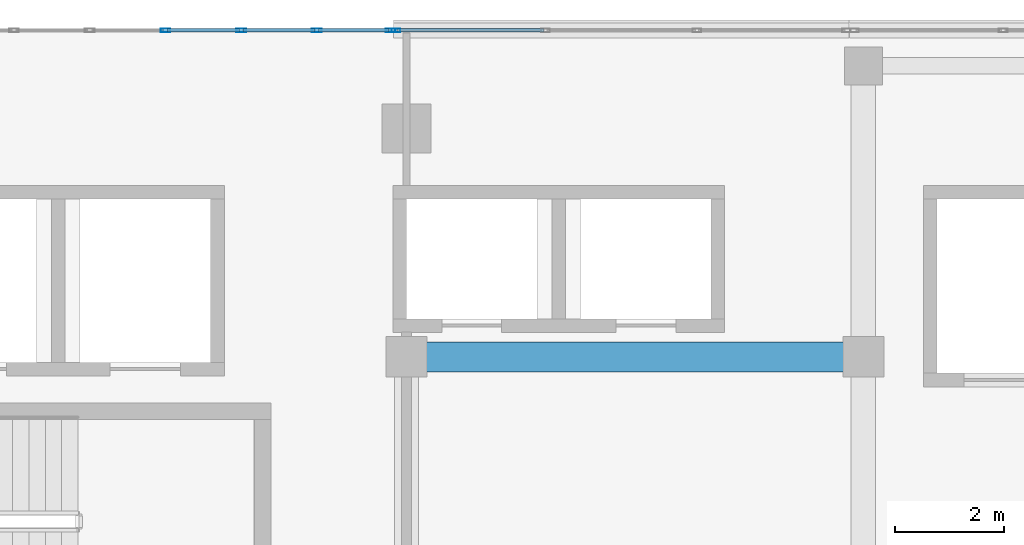
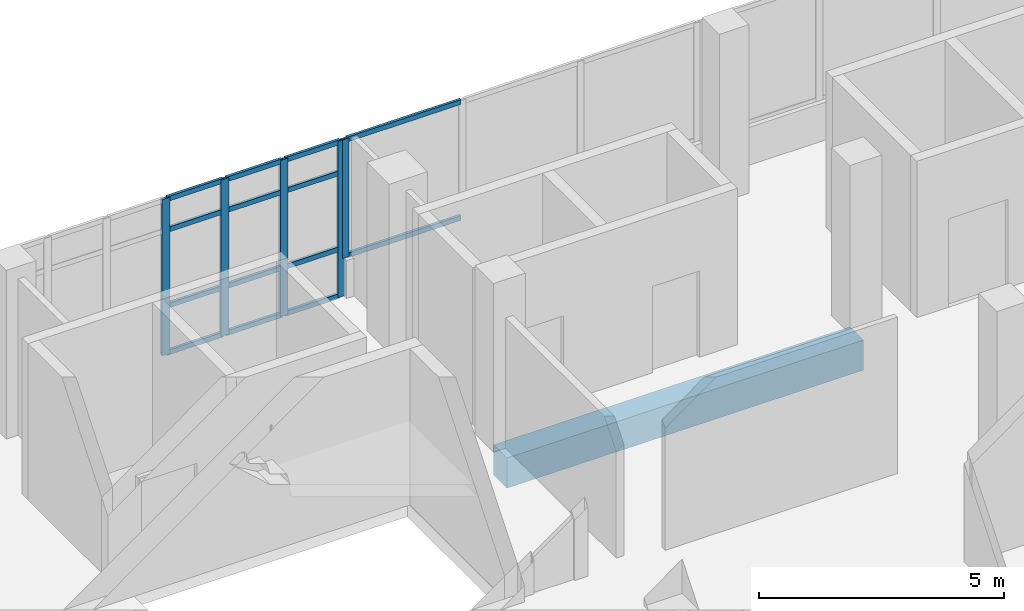
# One storey, part 116 of 184: 19 members, 1 beam, 2 elements without a shape of their own.
"""IFC4 building model written with IfcOpenShell, lengths in metres."""

from ifc_helpers import new_model, si_unit, direction, frame, origin, origin_2d, place, context, subcontext, project, spatial, rectangle, hollow_rectangle, extrude, material, material_profile, profile_set, type_object, element, aggregate, save


model = new_model("IFC4")

# Units and contexts
model_context = context("Model", 3, precision=1e-05, world=origin(), true_north=direction((0.0, 1.0)))
body_context = subcontext(model_context, "Body", "Model", "MODEL_VIEW")
ifc_project = project(units=[si_unit("LENGTHUNIT", "METRE"), si_unit("AREAUNIT", "SQUARE_METRE"), si_unit("VOLUMEUNIT", "CUBIC_METRE"), si_unit("PLANEANGLEUNIT", "RADIAN"), si_unit("MASSUNIT", "GRAM", prefix="KILO")], contexts=[model_context])

# Site, building, storey
site_placement = place(None, origin())
site = spatial("IfcSite", under=ifc_project, at=site_placement, CompositionType="ELEMENT")
building_placement = place(site_placement, origin())
building = spatial("IfcBuilding", under=site, at=building_placement, Name="Selatvlak General Hospital", CompositionType="ELEMENT")
storey_placement = place(building_placement, frame((0.0, 0.0, 15.0)))
storey = spatial("IfcBuildingStorey", under=building, at=storey_placement, Name="L03", CompositionType="ELEMENT", Elevation=15.0)

# Beam
ifc_material_1 = material(Name="Concrete C40/50", Category="concrete")
ifc_material_profile_1 = material_profile(ifc_material_1, rectangle(XDim=0.550048828125, YDim=0.75, at=origin_2d()), Name="RC-BM 550x750")
ifc_profile_set_1 = profile_set([ifc_material_profile_1], Name="Concrete C40/50")
beam_type = type_object("IfcBeamType", Name="BM-G02", PredefinedType="BEAM", material=ifc_profile_set_1)
beam_placement = place(storey_placement, frame((115.199951171875, 114.0, -0.715087890625), z_axis=(1.0, 0.0, 0.0), x_axis=(0.0, 1.0, 0.0)))
element("IfcBeam", 1, at=beam_placement, inside=storey, type_object=beam_type, Name="Beam BMR-L03-1269", PredefinedType="BEAM", context=body_context, shape_type="SweptSolid", body=[
    extrude(rectangle(XDim=0.550048828125, YDim=0.75, at=origin_2d()), origin(), (0.0, 0.0, 1.0), 8.400146484375),
])

# Curtain wall, member
ifc_material_2 = material(Name="Solar-control Low-E double glazing", Category="glass")
curtain_wall_type_1 = type_object("IfcCurtainWallType", Name="CW-CW-01", PredefinedType="USERDEFINED", material=ifc_material_2)
curtain_wall_1_placement = place(storey_placement, origin())
curtain_wall_1 = element("IfcCurtainWall", 2, at=curtain_wall_1_placement, inside=storey, type_object=curtain_wall_type_1, Name="Glazed facade curtain wall CW-L03-0376", ObjectType="UNITISED CURTAIN WALL", PredefinedType="USERDEFINED")
ifc_material_3 = material(Name="Dark anodised aluminium mullion", Category="aluminium")
ifc_material_profile_2 = material_profile(ifc_material_3, hollow_rectangle(XDim=0.06494140625, YDim=0.159912109375, WallThickness=0.00390625, at=origin_2d()), Name="AL-MUL 65x160x4")
ifc_profile_set_2 = profile_set([ifc_material_profile_2], Name="Dark anodised aluminium mullion")
member_type_1 = type_object("IfcMemberType", Name="CWM-01", PredefinedType="MULLION", material=ifc_profile_set_2)
member_1_placement = place(storey_placement, frame((115.006591796875, 120.0, 0.93994140625), z_axis=(0.0, 0.0, 1.0), x_axis=(0.0, 1.0, 0.0)))
member_1 = element("IfcMember", 3, at=member_1_placement, type_object=member_type_1, Name="CW-01 mullion 1", PredefinedType="MULLION", context=body_context, shape_type="SweptSolid", body=[
    extrude(hollow_rectangle(XDim=0.06494140625, YDim=0.159912109375, WallThickness=0.00390625, at=origin_2d()), origin(), (0.0, 0.0, 1.0), 2.955078125),
])

# Curtain wall, members
curtain_wall_type_2 = type_object("IfcCurtainWallType", Name="CW-CW-04", PredefinedType="USERDEFINED", material=ifc_material_2)
curtain_wall_2_placement = place(storey_placement, origin())
curtain_wall_2 = element("IfcCurtainWall", 4, at=curtain_wall_2_placement, inside=storey, type_object=curtain_wall_type_2, Name="Glazed facade curtain wall CW-L03-0375", ObjectType="STICK GLAZING WALL", PredefinedType="USERDEFINED")
ifc_material_profile_3 = material_profile(ifc_material_3, hollow_rectangle(XDim=0.06494140625, YDim=0.179931640625, WallThickness=0.00439453125, at=origin_2d()), Name="AL-MUL 65x180x4.5")
ifc_profile_set_3 = profile_set([ifc_material_profile_3], Name="Dark anodised aluminium mullion")
member_type_2 = type_object("IfcMemberType", Name="CWM-02", PredefinedType="MULLION", material=ifc_profile_set_3)
member_2_placement = place(storey_placement, frame((110.76904296875, 120.0, 0.0), z_axis=(0.0, 0.0, 1.0), x_axis=(0.0, 1.0, 0.0)))
member_2 = element("IfcMember", 5, at=member_2_placement, type_object=member_type_2, Name="CW-04 mullion 4", PredefinedType="MULLION", context=body_context, shape_type="SweptSolid", body=[
    extrude(hollow_rectangle(XDim=0.06494140625, YDim=0.179931640625, WallThickness=0.00439453125, at=origin_2d()), origin(), (0.0, 0.0, 1.0), 3.89501953125),
])
member_3_placement = place(storey_placement, frame((112.16064453125, 120.0, 0.0), z_axis=(0.0, 0.0, 1.0), x_axis=(0.0, 1.0, 0.0)))
member_3 = element("IfcMember", 6, at=member_3_placement, type_object=member_type_2, Name="CW-04 mullion 5", PredefinedType="MULLION", context=body_context, shape_type="SweptSolid", body=[
    extrude(hollow_rectangle(XDim=0.06494140625, YDim=0.179931640625, WallThickness=0.00439453125, at=origin_2d()), origin(), (0.0, 0.0, 1.0), 3.89501953125),
])
member_4_placement = place(storey_placement, frame((113.55224609375, 120.0, 0.0), z_axis=(0.0, 0.0, 1.0), x_axis=(0.0, 1.0, 0.0)))
member_4 = element("IfcMember", 7, at=member_4_placement, type_object=member_type_2, Name="CW-04 mullion 6", PredefinedType="MULLION", context=body_context, shape_type="SweptSolid", body=[
    extrude(hollow_rectangle(XDim=0.06494140625, YDim=0.179931640625, WallThickness=0.00439453125, at=origin_2d()), origin(), (0.0, 0.0, 1.0), 3.89501953125),
])
member_5_placement = place(storey_placement, frame((114.91162109375, 120.0, 0.0), z_axis=(0.0, 0.0, 1.0), x_axis=(0.0, 1.0, 0.0)))
member_5 = element("IfcMember", 8, at=member_5_placement, type_object=member_type_2, Name="CW-04 mullion 7", PredefinedType="MULLION", context=body_context, shape_type="SweptSolid", body=[
    extrude(hollow_rectangle(XDim=0.06494140625, YDim=0.179931640625, WallThickness=0.00439453125, at=origin_2d()), origin(), (0.0, 0.0, 1.0), 3.89501953125),
])
ifc_material_profile_4 = material_profile(ifc_material_3, hollow_rectangle(XDim=0.06494140625, YDim=0.1201171875, WallThickness=0.00390625, at=origin_2d()), Name="AL-TRN 65x120x4")
ifc_profile_set_4 = profile_set([ifc_material_profile_4], Name="Dark anodised aluminium mullion")
member_type_3 = type_object("IfcMemberType", Name="CWT-01", PredefinedType="USERDEFINED", material=ifc_profile_set_4)
member_6_placement = place(storey_placement, frame((110.801513671875, 120.0, 0.032470703125), z_axis=(1.0, 0.0, 0.0), x_axis=(0.0, 1.0, 0.0)))
member_6 = element("IfcMember", 9, at=member_6_placement, type_object=member_type_3, Name="CW-04 transom 4.1", ObjectType="TRANSOM", PredefinedType="USERDEFINED", context=body_context, shape_type="SweptSolid", body=[
    extrude(hollow_rectangle(XDim=0.06494140625, YDim=0.1201171875, WallThickness=0.00390625, at=origin_2d()), origin(), (0.0, 0.0, 1.0), 1.32666015625),
])
member_7_placement = place(storey_placement, frame((110.801513671875, 120.0, 1.199951171875), z_axis=(1.0, 0.0, 0.0), x_axis=(0.0, 1.0, 0.0)))
member_7 = element("IfcMember", 10, at=member_7_placement, type_object=member_type_3, Name="CW-04 transom 4.2", ObjectType="TRANSOM", PredefinedType="USERDEFINED", context=body_context, shape_type="SweptSolid", body=[
    extrude(hollow_rectangle(XDim=0.06494140625, YDim=0.1201171875, WallThickness=0.00390625, at=origin_2d()), origin(), (0.0, 0.0, 1.0), 1.32666015625),
])
member_8_placement = place(storey_placement, frame((110.801513671875, 120.0, 3.094970703125), z_axis=(1.0, 0.0, 0.0), x_axis=(0.0, 1.0, 0.0)))
member_8 = element("IfcMember", 11, at=member_8_placement, type_object=member_type_3, Name="CW-04 transom 4.3", ObjectType="TRANSOM", PredefinedType="USERDEFINED", context=body_context, shape_type="SweptSolid", body=[
    extrude(hollow_rectangle(XDim=0.06494140625, YDim=0.1201171875, WallThickness=0.00390625, at=origin_2d()), origin(), (0.0, 0.0, 1.0), 1.32666015625),
])
member_9_placement = place(storey_placement, frame((110.801513671875, 120.0, 3.862548828125), z_axis=(1.0, 0.0, 0.0), x_axis=(0.0, 1.0, 0.0)))
member_9 = element("IfcMember", 12, at=member_9_placement, type_object=member_type_3, Name="CW-04 transom 4.4", ObjectType="TRANSOM", PredefinedType="USERDEFINED", context=body_context, shape_type="SweptSolid", body=[
    extrude(hollow_rectangle(XDim=0.06494140625, YDim=0.1201171875, WallThickness=0.00390625, at=origin_2d()), origin(), (0.0, 0.0, 1.0), 1.32666015625),
])
member_10_placement = place(storey_placement, frame((112.193115234375, 120.0, 0.032470703125), z_axis=(1.0, 0.0, 0.0), x_axis=(0.0, 1.0, 0.0)))
member_10 = element("IfcMember", 13, at=member_10_placement, type_object=member_type_3, Name="CW-04 transom 5.1", ObjectType="TRANSOM", PredefinedType="USERDEFINED", context=body_context, shape_type="SweptSolid", body=[
    extrude(hollow_rectangle(XDim=0.06494140625, YDim=0.1201171875, WallThickness=0.00390625, at=origin_2d()), origin(), (0.0, 0.0, 1.0), 1.32666015625),
])
member_11_placement = place(storey_placement, frame((112.193115234375, 120.0, 1.199951171875), z_axis=(1.0, 0.0, 0.0), x_axis=(0.0, 1.0, 0.0)))
member_11 = element("IfcMember", 14, at=member_11_placement, type_object=member_type_3, Name="CW-04 transom 5.2", ObjectType="TRANSOM", PredefinedType="USERDEFINED", context=body_context, shape_type="SweptSolid", body=[
    extrude(hollow_rectangle(XDim=0.06494140625, YDim=0.1201171875, WallThickness=0.00390625, at=origin_2d()), origin(), (0.0, 0.0, 1.0), 1.32666015625),
])
member_12_placement = place(storey_placement, frame((112.193115234375, 120.0, 3.094970703125), z_axis=(1.0, 0.0, 0.0), x_axis=(0.0, 1.0, 0.0)))
member_12 = element("IfcMember", 15, at=member_12_placement, type_object=member_type_3, Name="CW-04 transom 5.3", ObjectType="TRANSOM", PredefinedType="USERDEFINED", context=body_context, shape_type="SweptSolid", body=[
    extrude(hollow_rectangle(XDim=0.06494140625, YDim=0.1201171875, WallThickness=0.00390625, at=origin_2d()), origin(), (0.0, 0.0, 1.0), 1.32666015625),
])
member_13_placement = place(storey_placement, frame((112.193115234375, 120.0, 3.862548828125), z_axis=(1.0, 0.0, 0.0), x_axis=(0.0, 1.0, 0.0)))
member_13 = element("IfcMember", 16, at=member_13_placement, type_object=member_type_3, Name="CW-04 transom 5.4", ObjectType="TRANSOM", PredefinedType="USERDEFINED", context=body_context, shape_type="SweptSolid", body=[
    extrude(hollow_rectangle(XDim=0.06494140625, YDim=0.1201171875, WallThickness=0.00390625, at=origin_2d()), origin(), (0.0, 0.0, 1.0), 1.32666015625),
])
member_14_placement = place(storey_placement, frame((113.584716796875, 120.0, 0.032470703125), z_axis=(1.0, 0.0, 0.0), x_axis=(0.0, 1.0, 0.0)))
member_14 = element("IfcMember", 17, at=member_14_placement, type_object=member_type_3, Name="CW-04 transom 6.1", ObjectType="TRANSOM", PredefinedType="USERDEFINED", context=body_context, shape_type="SweptSolid", body=[
    extrude(hollow_rectangle(XDim=0.06494140625, YDim=0.1201171875, WallThickness=0.00390625, at=origin_2d()), origin(), (0.0, 0.0, 1.0), 1.294189453125),
])
member_15_placement = place(storey_placement, frame((113.584716796875, 120.0, 1.199951171875), z_axis=(1.0, 0.0, 0.0), x_axis=(0.0, 1.0, 0.0)))
member_15 = element("IfcMember", 18, at=member_15_placement, type_object=member_type_3, Name="CW-04 transom 6.2", ObjectType="TRANSOM", PredefinedType="USERDEFINED", context=body_context, shape_type="SweptSolid", body=[
    extrude(hollow_rectangle(XDim=0.06494140625, YDim=0.1201171875, WallThickness=0.00390625, at=origin_2d()), origin(), (0.0, 0.0, 1.0), 1.294189453125),
])
member_16_placement = place(storey_placement, frame((113.584716796875, 120.0, 3.094970703125), z_axis=(1.0, 0.0, 0.0), x_axis=(0.0, 1.0, 0.0)))
member_16 = element("IfcMember", 19, at=member_16_placement, type_object=member_type_3, Name="CW-04 transom 6.3", ObjectType="TRANSOM", PredefinedType="USERDEFINED", context=body_context, shape_type="SweptSolid", body=[
    extrude(hollow_rectangle(XDim=0.06494140625, YDim=0.1201171875, WallThickness=0.00390625, at=origin_2d()), origin(), (0.0, 0.0, 1.0), 1.294189453125),
])
member_17_placement = place(storey_placement, frame((113.584716796875, 120.0, 3.862548828125), z_axis=(1.0, 0.0, 0.0), x_axis=(0.0, 1.0, 0.0)))
member_17 = element("IfcMember", 20, at=member_17_placement, type_object=member_type_3, Name="CW-04 transom 6.4", ObjectType="TRANSOM", PredefinedType="USERDEFINED", context=body_context, shape_type="SweptSolid", body=[
    extrude(hollow_rectangle(XDim=0.06494140625, YDim=0.1201171875, WallThickness=0.00390625, at=origin_2d()), origin(), (0.0, 0.0, 1.0), 1.294189453125),
])
aggregate(curtain_wall_2, [member_2, member_3, member_4, member_5, member_6, member_7, member_8, member_9, member_10, member_11, member_12, member_13, member_14, member_15, member_16, member_17])

# Member
member_18_placement = place(storey_placement, frame((115.0390625, 120.0, 0.972412109375), z_axis=(1.0, 0.0, 0.0), x_axis=(0.0, 1.0, 0.0)))
member_18 = element("IfcMember", 21, at=member_18_placement, type_object=member_type_3, Name="CW-01 transom 1.1", ObjectType="TRANSOM", PredefinedType="USERDEFINED", context=body_context, shape_type="SweptSolid", body=[
    extrude(hollow_rectangle(XDim=0.06494140625, YDim=0.1201171875, WallThickness=0.00390625, at=origin_2d()), origin(), (0.0, 0.0, 1.0), 2.685791015625),
])

member_19_placement = place(storey_placement, frame((115.0390625, 120.0, 3.862548828125), z_axis=(1.0, 0.0, 0.0), x_axis=(0.0, 1.0, 0.0)))
member_19 = element("IfcMember", 22, at=member_19_placement, type_object=member_type_3, Name="CW-01 transom 1.2", ObjectType="TRANSOM", PredefinedType="USERDEFINED", context=body_context, shape_type="SweptSolid", body=[
    extrude(hollow_rectangle(XDim=0.06494140625, YDim=0.1201171875, WallThickness=0.00390625, at=origin_2d()), origin(), (0.0, 0.0, 1.0), 2.685791015625),
])

aggregate(curtain_wall_1, [member_1, member_18, member_19])

save(model, "model.ifc")
